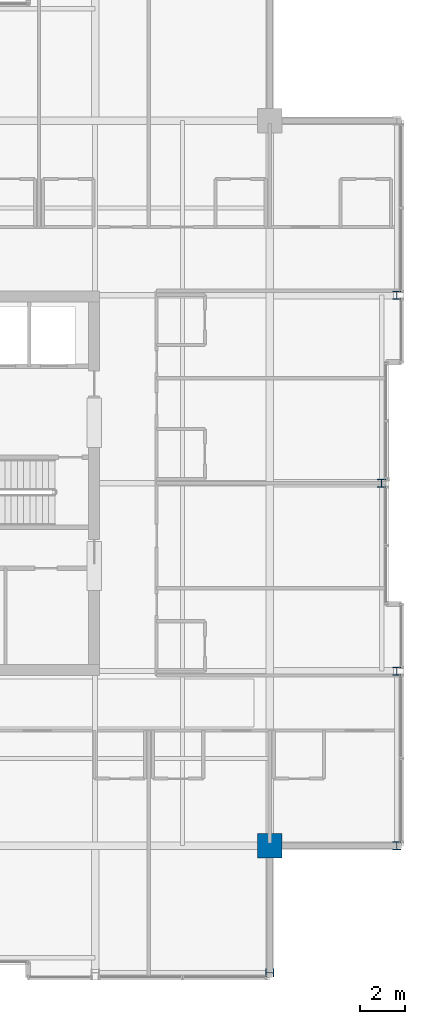
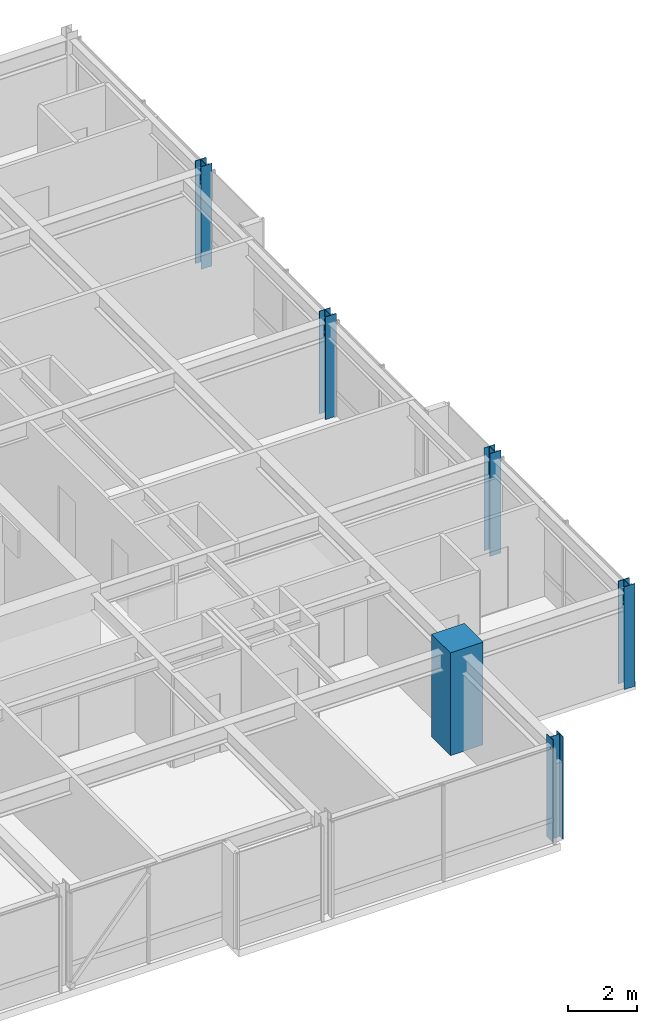
# One storey, part 2 of 34: 6 columns.
"""IFC4 building model written with IfcOpenShell, lengths in metres."""

from ifc_helpers import new_model, si_unit, direction, frame, origin, origin_2d, place, context, subcontext, project, spatial, rectangle, i_section, extrude, material, material_profile, profile_set, type_object, element, save


model = new_model("IFC4")

# Units and contexts
model_context = context("Model", 3, precision=1e-05, world=origin(), true_north=direction((0.0, 1.0)))
body_context = subcontext(model_context, "Body", "Model", "MODEL_VIEW")
ifc_project = project(units=[si_unit("LENGTHUNIT", "METRE"), si_unit("AREAUNIT", "SQUARE_METRE"), si_unit("VOLUMEUNIT", "CUBIC_METRE"), si_unit("PLANEANGLEUNIT", "RADIAN"), si_unit("MASSUNIT", "GRAM", prefix="KILO")], contexts=[model_context])

# Site, building, storey
site_placement = place(None, origin())
site = spatial("IfcSite", under=ifc_project, at=site_placement, CompositionType="ELEMENT")
building_placement = place(site_placement, origin())
building = spatial("IfcBuilding", under=site, at=building_placement, Name="Drelvath Grand Hotel", CompositionType="ELEMENT")
storey_placement = place(building_placement, frame((0.0, 0.0, 272.300048828125)))
storey = spatial("IfcBuildingStorey", under=building, at=storey_placement, Name="L71", CompositionType="ELEMENT", Elevation=272.300048828125)

# Columns
ifc_material_1 = material(Name="Concrete f'c 55 MPa", Category="concrete")
ifc_material_profile_1 = material_profile(ifc_material_1, rectangle(XDim=1.10009765625, YDim=1.10009765625, at=origin_2d()), Name="MC1100X1100")
ifc_profile_set_1 = profile_set([ifc_material_profile_1], Name="Concrete f'c 55 MPa")
column_type_1 = type_object("IfcColumnType", Name="Composite Mega Column MC1100X1100", PredefinedType="COLUMN", material=ifc_profile_set_1)
column_placement = place(storey_placement, frame((16.199951171875, 10.800048828125, 0.0), z_axis=(0.0, 0.0, 1.0), x_axis=(1.0, 0.0, 0.0)))
element("IfcColumn", 1, at=column_placement, inside=storey, type_object=column_type_1, Name="L71 Composite Mega Column MC-SE", PredefinedType="COLUMN", context=body_context, shape_type="SweptSolid", body=[
    extrude(rectangle(XDim=1.10009765625, YDim=1.10009765625, at=origin_2d()), origin(), (0.0, 0.0, 1.0), 3.64990234375),
])
ifc_material_2 = material(Name="Steel ASTM A913 Gr 65", Category="steel")
ifc_material_profile_2 = material_profile(ifc_material_2, i_section(OverallWidth=0.368896484375, OverallDepth=0.356201171875, WebThickness=0.01123046875, FlangeThickness=0.01806640625, FilletRadius=0.02490234375, at=origin_2d()), Name="W14X90")
ifc_profile_set_2 = profile_set([ifc_material_profile_2], Name="Steel ASTM A913 Gr 65")
column_type_2 = type_object("IfcColumnType", Name="Perimeter Steel Column W14X90", PredefinedType="COLUMN", material=ifc_profile_set_2)
for number, where, z_axis, x_axis, name in (
    (2, (21.8798828125, 10.800048828125, 0.0), (0.0, 0.0, 1.0), (1.0, 0.0, 0.0), "L71 Structural Column TCE-C"),
    (3, (21.8798828125, 18.60009765625, 0.0), (0.0, 0.0, 1.0), (1.0, 0.0, 0.0), "L71 Structural Column TCE-D"),
    (4, (21.199951171875, 27.0, 0.0), (0.0, 0.0, 1.0), (1.0, 0.0, 0.0), "L71 Structural Column TCE-E"),
    (5, (21.8798828125, 35.39990234375, 0.0), (0.0, 0.0, 1.0), (1.0, 0.0, 0.0), "L71 Structural Column TCE-F"),
    (6, (16.199951171875, 5.1201171875, 0.0), (0.0, 0.0, 1.0), (0.0, 1.0, 0.0), "L71 Structural Column TCS-7"),
):
    element("IfcColumn", number, at=place(storey_placement, frame(where, z_axis=z_axis, x_axis=x_axis)), inside=storey, type_object=column_type_2, Name=name, PredefinedType="COLUMN", context=body_context, shape_type="SweptSolid", body=[
        extrude(i_section(OverallWidth=0.368896484375, OverallDepth=0.356201171875, WebThickness=0.01123046875, FlangeThickness=0.01806640625, FilletRadius=0.02490234375, at=origin_2d()), origin(), (0.0, 0.0, 1.0), 3.64697265625),
    ])

save(model, "model.ifc")
